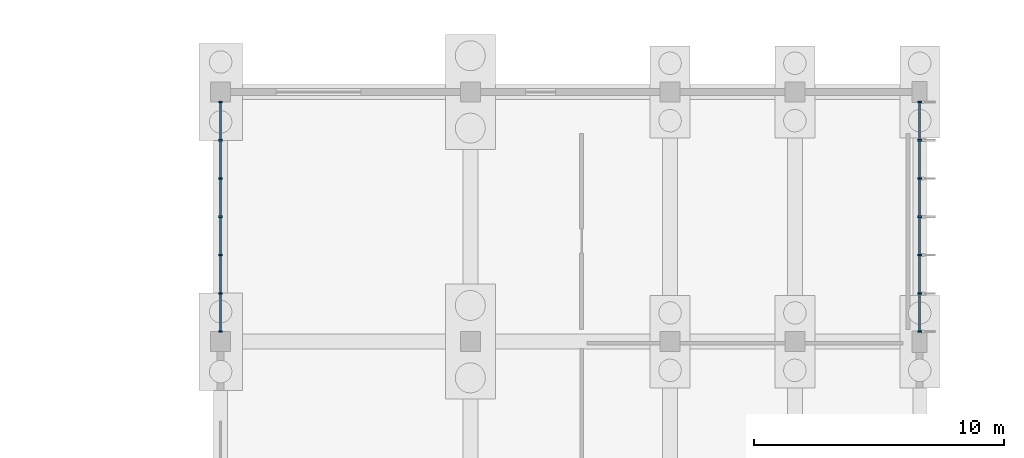
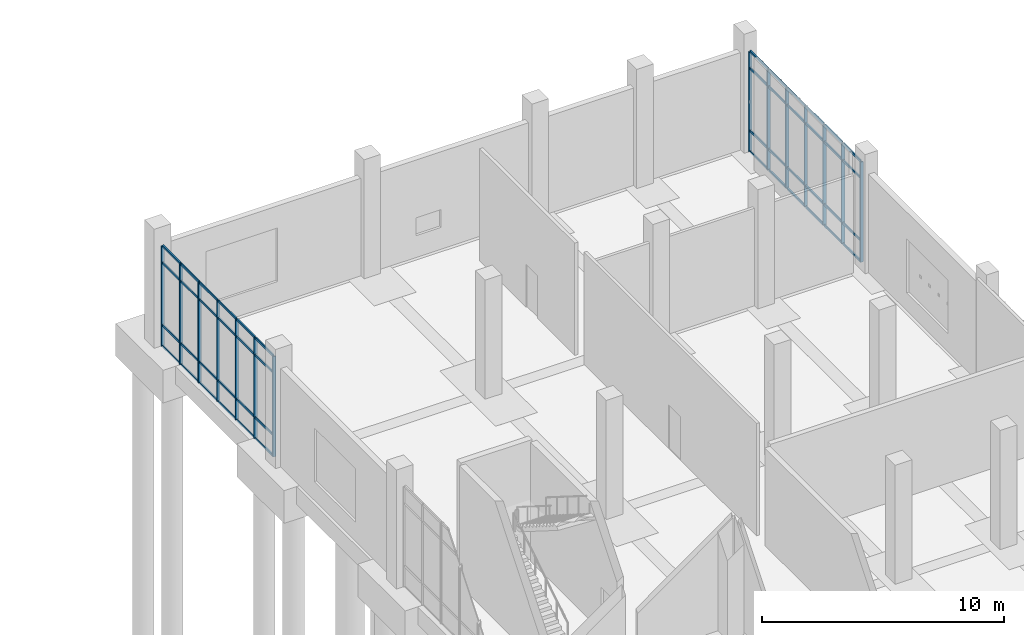
# One storey, part 53 of 140: 62 members, 2 elements without a shape of their own.
"""IFC4 building model written with IfcOpenShell, lengths in metres."""

from ifc_helpers import new_model, si_unit, direction, frame, origin, origin_2d, place, context, subcontext, project, spatial, rectangle, extrude, material, layer, layer_set, material_profile, profile_set, type_object, element, aggregate, save


model = new_model("IFC4")

# Units and contexts
model_context = context("Model", 3, precision=1e-05, world=origin(), true_north=direction((0.0, 1.0)))
body_context = subcontext(model_context, "Body", "Model", "MODEL_VIEW")
ifc_project = project(units=[si_unit("LENGTHUNIT", "METRE"), si_unit("AREAUNIT", "SQUARE_METRE"), si_unit("VOLUMEUNIT", "CUBIC_METRE"), si_unit("PLANEANGLEUNIT", "RADIAN"), si_unit("MASSUNIT", "GRAM", prefix="KILO")], contexts=[model_context])

# Site, building, storey
site_placement = place(None, origin())
site = spatial("IfcSite", under=ifc_project, at=site_placement, CompositionType="ELEMENT")
building_placement = place(site_placement, origin())
building = spatial("IfcBuilding", under=site, at=building_placement, Name="Corvandel Quay Wholesale Market", CompositionType="ELEMENT")
storey_placement = place(building_placement, origin())
storey = spatial("IfcBuildingStorey", under=building, at=storey_placement, Name="L00", CompositionType="ELEMENT", Elevation=0.0)

# Curtain wall, members
ifc_material_1 = material(Name="Bronze anodised aluminium and low-E insulated glazing", Category="aluminium")
ifc_layer_1 = layer(ifc_material_1, 0.174072265625)
ifc_layer_set_1 = layer_set([ifc_layer_1], Name="Bronze anodised aluminium and low-E insulated glazing")
curtain_wall_type_1 = type_object("IfcCurtainWallType", Name="Stick Curtain Wall System CW22 H4980", PredefinedType="NOTDEFINED", material=ifc_layer_set_1)
curtain_wall_1_placement = place(storey_placement, origin())
curtain_wall_1 = element("IfcCurtainWall", 1, at=curtain_wall_1_placement, inside=storey, type_object=curtain_wall_type_1, Name="Curtain Wall CW-0147", PredefinedType="NOTDEFINED")
ifc_material_2 = material(Name="Anodised aluminium 6063-T6", Category="aluminium")
ifc_material_profile_1 = material_profile(ifc_material_2, rectangle(XDim=0.06494140625, YDim=0.14990234375, at=origin_2d()), Name="ALU-MUL-65x150")
ifc_profile_set_1 = profile_set([ifc_material_profile_1], Name="Anodised aluminium 6063-T6")
member_type_1 = type_object("IfcMemberType", Name="Curtain Wall Mullion ML02 65x150", PredefinedType="MULLION", material=ifc_profile_set_1)
member_1_placement = place(storey_placement, frame((248.0, 100.39990234375, 0.0), z_axis=(0.0, 0.0, 1.0), x_axis=(0.0, 1.0, 0.0)))
member_1 = element("IfcMember", 2, at=member_1_placement, type_object=member_type_1, Name="Mullion CW-0147-M00", PredefinedType="MULLION", context=body_context, shape_type="SweptSolid", body=[
    extrude(rectangle(XDim=0.06494140625, YDim=0.14990234375, at=origin_2d()), origin(), (0.0, 0.0, 1.0), 5.050048828125),
])
member_2_placement = place(storey_placement, frame((248.0, 101.933349609375, 0.0), z_axis=(0.0, 0.0, 1.0), x_axis=(0.0, 1.0, 0.0)))
member_2 = element("IfcMember", 3, at=member_2_placement, type_object=member_type_1, Name="Mullion CW-0147-M01", PredefinedType="MULLION", context=body_context, shape_type="SweptSolid", body=[
    extrude(rectangle(XDim=0.06494140625, YDim=0.14990234375, at=origin_2d()), origin(), (0.0, 0.0, 1.0), 5.050048828125),
])
member_3_placement = place(storey_placement, frame((248.0, 103.466796875, 0.0), z_axis=(0.0, 0.0, 1.0), x_axis=(0.0, 1.0, 0.0)))
member_3 = element("IfcMember", 4, at=member_3_placement, type_object=member_type_1, Name="Mullion CW-0147-M02", PredefinedType="MULLION", context=body_context, shape_type="SweptSolid", body=[
    extrude(rectangle(XDim=0.06494140625, YDim=0.14990234375, at=origin_2d()), origin(), (0.0, 0.0, 1.0), 5.050048828125),
])
member_4_placement = place(storey_placement, frame((248.0, 105.0, 0.0), z_axis=(0.0, 0.0, 1.0), x_axis=(0.0, 1.0, 0.0)))
member_4 = element("IfcMember", 5, at=member_4_placement, type_object=member_type_1, Name="Mullion CW-0147-M03", PredefinedType="MULLION", context=body_context, shape_type="SweptSolid", body=[
    extrude(rectangle(XDim=0.06494140625, YDim=0.14990234375, at=origin_2d()), origin(), (0.0, 0.0, 1.0), 5.050048828125),
])
member_5_placement = place(storey_placement, frame((248.0, 106.533203125, 0.0), z_axis=(0.0, 0.0, 1.0), x_axis=(0.0, 1.0, 0.0)))
member_5 = element("IfcMember", 6, at=member_5_placement, type_object=member_type_1, Name="Mullion CW-0147-M04", PredefinedType="MULLION", context=body_context, shape_type="SweptSolid", body=[
    extrude(rectangle(XDim=0.06494140625, YDim=0.14990234375, at=origin_2d()), origin(), (0.0, 0.0, 1.0), 5.050048828125),
])
member_6_placement = place(storey_placement, frame((248.0, 108.066650390625, 0.0), z_axis=(0.0, 0.0, 1.0), x_axis=(0.0, 1.0, 0.0)))
member_6 = element("IfcMember", 7, at=member_6_placement, type_object=member_type_1, Name="Mullion CW-0147-M05", PredefinedType="MULLION", context=body_context, shape_type="SweptSolid", body=[
    extrude(rectangle(XDim=0.06494140625, YDim=0.14990234375, at=origin_2d()), origin(), (0.0, 0.0, 1.0), 5.050048828125),
])
member_7_placement = place(storey_placement, frame((248.0, 109.60009765625, 0.0), z_axis=(0.0, 0.0, 1.0), x_axis=(0.0, 1.0, 0.0)))
member_7 = element("IfcMember", 8, at=member_7_placement, type_object=member_type_1, Name="Mullion CW-0147-M06", PredefinedType="MULLION", context=body_context, shape_type="SweptSolid", body=[
    extrude(rectangle(XDim=0.06494140625, YDim=0.14990234375, at=origin_2d()), origin(), (0.0, 0.0, 1.0), 5.050048828125),
])

ifc_layer_2 = layer(ifc_material_1, 0.18603515625)
ifc_layer_set_2 = layer_set([ifc_layer_2], Name="Bronze anodised aluminium and low-E insulated glazing")
curtain_wall_type_2 = type_object("IfcCurtainWallType", Name="Stick Curtain Wall System CW28 H5520", PredefinedType="NOTDEFINED", material=ifc_layer_set_2)
curtain_wall_2_placement = place(storey_placement, origin())
curtain_wall_2 = element("IfcCurtainWall", 9, at=curtain_wall_2_placement, inside=storey, type_object=curtain_wall_type_2, Name="Curtain Wall CW-0148", PredefinedType="NOTDEFINED")
member_8_placement = place(storey_placement, frame((220.0, 100.39990234375, 0.0), z_axis=(0.0, 0.0, 1.0), x_axis=(0.0, 1.0, 0.0)))
member_8 = element("IfcMember", 10, at=member_8_placement, type_object=member_type_1, Name="Mullion CW-0148-M00", PredefinedType="MULLION", context=body_context, shape_type="SweptSolid", body=[
    extrude(rectangle(XDim=0.06494140625, YDim=0.14990234375, at=origin_2d()), origin(), (0.0, 0.0, 1.0), 5.050048828125),
])
member_9_placement = place(storey_placement, frame((220.0, 101.933349609375, 0.0), z_axis=(0.0, 0.0, 1.0), x_axis=(0.0, 1.0, 0.0)))
member_9 = element("IfcMember", 11, at=member_9_placement, type_object=member_type_1, Name="Mullion CW-0148-M01", PredefinedType="MULLION", context=body_context, shape_type="SweptSolid", body=[
    extrude(rectangle(XDim=0.06494140625, YDim=0.14990234375, at=origin_2d()), origin(), (0.0, 0.0, 1.0), 5.050048828125),
])
member_10_placement = place(storey_placement, frame((220.0, 103.466796875, 0.0), z_axis=(0.0, 0.0, 1.0), x_axis=(0.0, 1.0, 0.0)))
member_10 = element("IfcMember", 12, at=member_10_placement, type_object=member_type_1, Name="Mullion CW-0148-M02", PredefinedType="MULLION", context=body_context, shape_type="SweptSolid", body=[
    extrude(rectangle(XDim=0.06494140625, YDim=0.14990234375, at=origin_2d()), origin(), (0.0, 0.0, 1.0), 5.050048828125),
])
member_11_placement = place(storey_placement, frame((220.0, 105.0, 0.0), z_axis=(0.0, 0.0, 1.0), x_axis=(0.0, 1.0, 0.0)))
member_11 = element("IfcMember", 13, at=member_11_placement, type_object=member_type_1, Name="Mullion CW-0148-M03", PredefinedType="MULLION", context=body_context, shape_type="SweptSolid", body=[
    extrude(rectangle(XDim=0.06494140625, YDim=0.14990234375, at=origin_2d()), origin(), (0.0, 0.0, 1.0), 5.050048828125),
])
member_12_placement = place(storey_placement, frame((220.0, 106.533203125, 0.0), z_axis=(0.0, 0.0, 1.0), x_axis=(0.0, 1.0, 0.0)))
member_12 = element("IfcMember", 14, at=member_12_placement, type_object=member_type_1, Name="Mullion CW-0148-M04", PredefinedType="MULLION", context=body_context, shape_type="SweptSolid", body=[
    extrude(rectangle(XDim=0.06494140625, YDim=0.14990234375, at=origin_2d()), origin(), (0.0, 0.0, 1.0), 5.050048828125),
])
member_13_placement = place(storey_placement, frame((220.0, 108.066650390625, 0.0), z_axis=(0.0, 0.0, 1.0), x_axis=(0.0, 1.0, 0.0)))
member_13 = element("IfcMember", 15, at=member_13_placement, type_object=member_type_1, Name="Mullion CW-0148-M05", PredefinedType="MULLION", context=body_context, shape_type="SweptSolid", body=[
    extrude(rectangle(XDim=0.06494140625, YDim=0.14990234375, at=origin_2d()), origin(), (0.0, 0.0, 1.0), 5.050048828125),
])
member_14_placement = place(storey_placement, frame((220.0, 109.60009765625, 0.0), z_axis=(0.0, 0.0, 1.0), x_axis=(0.0, 1.0, 0.0)))
member_14 = element("IfcMember", 16, at=member_14_placement, type_object=member_type_1, Name="Mullion CW-0148-M06", PredefinedType="MULLION", context=body_context, shape_type="SweptSolid", body=[
    extrude(rectangle(XDim=0.06494140625, YDim=0.14990234375, at=origin_2d()), origin(), (0.0, 0.0, 1.0), 5.050048828125),
])

# Member
ifc_material_profile_2 = material_profile(ifc_material_2, rectangle(XDim=0.06005859375, YDim=0.110107421875, at=origin_2d()), Name="ALU-TRN-60x110")
ifc_profile_set_2 = profile_set([ifc_material_profile_2], Name="Anodised aluminium 6063-T6")
member_type_2 = type_object("IfcMemberType", Name="Curtain Wall Transom TR02 60x110", PredefinedType="USERDEFINED", material=ifc_profile_set_2)
member_15_placement = place(storey_placement, frame((248.0, 100.4326171875, 0.0), z_axis=(0.0, 1.0, 0.0), x_axis=(-1.0, 0.0, 0.0)))
member_15 = element("IfcMember", 17, at=member_15_placement, type_object=member_type_2, Name="Transom CW-0147-T00-0", ObjectType="TRANSOM", PredefinedType="USERDEFINED", context=body_context, shape_type="SweptSolid", body=[
    extrude(rectangle(XDim=0.06005859375, YDim=0.110107421875, at=origin_2d()), origin(), (0.0, 0.0, 1.0), 1.46826171875),
])

member_16_placement = place(storey_placement, frame((248.0, 100.4326171875, 1.050048828125), z_axis=(0.0, 1.0, 0.0), x_axis=(-1.0, 0.0, 0.0)))
member_16 = element("IfcMember", 18, at=member_16_placement, type_object=member_type_2, Name="Transom CW-0147-T00-1", ObjectType="TRANSOM", PredefinedType="USERDEFINED", context=body_context, shape_type="SweptSolid", body=[
    extrude(rectangle(XDim=0.06005859375, YDim=0.110107421875, at=origin_2d()), origin(), (0.0, 0.0, 1.0), 1.46826171875),
])

member_17_placement = place(storey_placement, frame((248.0, 100.4326171875, 4.199951171875), z_axis=(0.0, 1.0, 0.0), x_axis=(-1.0, 0.0, 0.0)))
member_17 = element("IfcMember", 19, at=member_17_placement, type_object=member_type_2, Name="Transom CW-0147-T00-2", ObjectType="TRANSOM", PredefinedType="USERDEFINED", context=body_context, shape_type="SweptSolid", body=[
    extrude(rectangle(XDim=0.06005859375, YDim=0.110107421875, at=origin_2d()), origin(), (0.0, 0.0, 1.0), 1.46826171875),
])

member_18_placement = place(storey_placement, frame((248.0, 100.4326171875, 5.050048828125), z_axis=(0.0, 1.0, 0.0), x_axis=(-1.0, 0.0, 0.0)))
member_18 = element("IfcMember", 20, at=member_18_placement, type_object=member_type_2, Name="Transom CW-0147-T00-3", ObjectType="TRANSOM", PredefinedType="USERDEFINED", context=body_context, shape_type="SweptSolid", body=[
    extrude(rectangle(XDim=0.06005859375, YDim=0.110107421875, at=origin_2d()), origin(), (0.0, 0.0, 1.0), 1.46826171875),
])

member_19_placement = place(storey_placement, frame((248.0, 101.9658203125, 0.0), z_axis=(0.0, 1.0, 0.0), x_axis=(-1.0, 0.0, 0.0)))
member_19 = element("IfcMember", 21, at=member_19_placement, type_object=member_type_2, Name="Transom CW-0147-T01-0", ObjectType="TRANSOM", PredefinedType="USERDEFINED", context=body_context, shape_type="SweptSolid", body=[
    extrude(rectangle(XDim=0.06005859375, YDim=0.110107421875, at=origin_2d()), origin(), (0.0, 0.0, 1.0), 1.46826171875),
])

member_20_placement = place(storey_placement, frame((248.0, 101.9658203125, 1.050048828125), z_axis=(0.0, 1.0, 0.0), x_axis=(-1.0, 0.0, 0.0)))
member_20 = element("IfcMember", 22, at=member_20_placement, type_object=member_type_2, Name="Transom CW-0147-T01-1", ObjectType="TRANSOM", PredefinedType="USERDEFINED", context=body_context, shape_type="SweptSolid", body=[
    extrude(rectangle(XDim=0.06005859375, YDim=0.110107421875, at=origin_2d()), origin(), (0.0, 0.0, 1.0), 1.46826171875),
])

member_21_placement = place(storey_placement, frame((248.0, 101.9658203125, 4.199951171875), z_axis=(0.0, 1.0, 0.0), x_axis=(-1.0, 0.0, 0.0)))
member_21 = element("IfcMember", 23, at=member_21_placement, type_object=member_type_2, Name="Transom CW-0147-T01-2", ObjectType="TRANSOM", PredefinedType="USERDEFINED", context=body_context, shape_type="SweptSolid", body=[
    extrude(rectangle(XDim=0.06005859375, YDim=0.110107421875, at=origin_2d()), origin(), (0.0, 0.0, 1.0), 1.46826171875),
])

member_22_placement = place(storey_placement, frame((248.0, 101.9658203125, 5.050048828125), z_axis=(0.0, 1.0, 0.0), x_axis=(-1.0, 0.0, 0.0)))
member_22 = element("IfcMember", 24, at=member_22_placement, type_object=member_type_2, Name="Transom CW-0147-T01-3", ObjectType="TRANSOM", PredefinedType="USERDEFINED", context=body_context, shape_type="SweptSolid", body=[
    extrude(rectangle(XDim=0.06005859375, YDim=0.110107421875, at=origin_2d()), origin(), (0.0, 0.0, 1.0), 1.46826171875),
])

member_23_placement = place(storey_placement, frame((248.0, 103.499267578125, 0.0), z_axis=(0.0, 1.0, 0.0), x_axis=(-1.0, 0.0, 0.0)))
member_23 = element("IfcMember", 25, at=member_23_placement, type_object=member_type_2, Name="Transom CW-0147-T02-0", ObjectType="TRANSOM", PredefinedType="USERDEFINED", context=body_context, shape_type="SweptSolid", body=[
    extrude(rectangle(XDim=0.06005859375, YDim=0.110107421875, at=origin_2d()), origin(), (0.0, 0.0, 1.0), 1.46826171875),
])

member_24_placement = place(storey_placement, frame((248.0, 103.499267578125, 1.050048828125), z_axis=(0.0, 1.0, 0.0), x_axis=(-1.0, 0.0, 0.0)))
member_24 = element("IfcMember", 26, at=member_24_placement, type_object=member_type_2, Name="Transom CW-0147-T02-1", ObjectType="TRANSOM", PredefinedType="USERDEFINED", context=body_context, shape_type="SweptSolid", body=[
    extrude(rectangle(XDim=0.06005859375, YDim=0.110107421875, at=origin_2d()), origin(), (0.0, 0.0, 1.0), 1.46826171875),
])

member_25_placement = place(storey_placement, frame((248.0, 103.499267578125, 4.199951171875), z_axis=(0.0, 1.0, 0.0), x_axis=(-1.0, 0.0, 0.0)))
member_25 = element("IfcMember", 27, at=member_25_placement, type_object=member_type_2, Name="Transom CW-0147-T02-2", ObjectType="TRANSOM", PredefinedType="USERDEFINED", context=body_context, shape_type="SweptSolid", body=[
    extrude(rectangle(XDim=0.06005859375, YDim=0.110107421875, at=origin_2d()), origin(), (0.0, 0.0, 1.0), 1.46826171875),
])

member_26_placement = place(storey_placement, frame((248.0, 103.499267578125, 5.050048828125), z_axis=(0.0, 1.0, 0.0), x_axis=(-1.0, 0.0, 0.0)))
member_26 = element("IfcMember", 28, at=member_26_placement, type_object=member_type_2, Name="Transom CW-0147-T02-3", ObjectType="TRANSOM", PredefinedType="USERDEFINED", context=body_context, shape_type="SweptSolid", body=[
    extrude(rectangle(XDim=0.06005859375, YDim=0.110107421875, at=origin_2d()), origin(), (0.0, 0.0, 1.0), 1.46826171875),
])

member_27_placement = place(storey_placement, frame((248.0, 105.032470703125, 0.0), z_axis=(0.0, 1.0, 0.0), x_axis=(-1.0, 0.0, 0.0)))
member_27 = element("IfcMember", 29, at=member_27_placement, type_object=member_type_2, Name="Transom CW-0147-T03-0", ObjectType="TRANSOM", PredefinedType="USERDEFINED", context=body_context, shape_type="SweptSolid", body=[
    extrude(rectangle(XDim=0.06005859375, YDim=0.110107421875, at=origin_2d()), origin(), (0.0, 0.0, 1.0), 1.46826171875),
])

member_28_placement = place(storey_placement, frame((248.0, 105.032470703125, 1.050048828125), z_axis=(0.0, 1.0, 0.0), x_axis=(-1.0, 0.0, 0.0)))
member_28 = element("IfcMember", 30, at=member_28_placement, type_object=member_type_2, Name="Transom CW-0147-T03-1", ObjectType="TRANSOM", PredefinedType="USERDEFINED", context=body_context, shape_type="SweptSolid", body=[
    extrude(rectangle(XDim=0.06005859375, YDim=0.110107421875, at=origin_2d()), origin(), (0.0, 0.0, 1.0), 1.46826171875),
])

member_29_placement = place(storey_placement, frame((248.0, 105.032470703125, 4.199951171875), z_axis=(0.0, 1.0, 0.0), x_axis=(-1.0, 0.0, 0.0)))
member_29 = element("IfcMember", 31, at=member_29_placement, type_object=member_type_2, Name="Transom CW-0147-T03-2", ObjectType="TRANSOM", PredefinedType="USERDEFINED", context=body_context, shape_type="SweptSolid", body=[
    extrude(rectangle(XDim=0.06005859375, YDim=0.110107421875, at=origin_2d()), origin(), (0.0, 0.0, 1.0), 1.46826171875),
])

member_30_placement = place(storey_placement, frame((248.0, 105.032470703125, 5.050048828125), z_axis=(0.0, 1.0, 0.0), x_axis=(-1.0, 0.0, 0.0)))
member_30 = element("IfcMember", 32, at=member_30_placement, type_object=member_type_2, Name="Transom CW-0147-T03-3", ObjectType="TRANSOM", PredefinedType="USERDEFINED", context=body_context, shape_type="SweptSolid", body=[
    extrude(rectangle(XDim=0.06005859375, YDim=0.110107421875, at=origin_2d()), origin(), (0.0, 0.0, 1.0), 1.46826171875),
])

member_31_placement = place(storey_placement, frame((248.0, 106.56591796875, 0.0), z_axis=(0.0, 1.0, 0.0), x_axis=(-1.0, 0.0, 0.0)))
member_31 = element("IfcMember", 33, at=member_31_placement, type_object=member_type_2, Name="Transom CW-0147-T04-0", ObjectType="TRANSOM", PredefinedType="USERDEFINED", context=body_context, shape_type="SweptSolid", body=[
    extrude(rectangle(XDim=0.06005859375, YDim=0.110107421875, at=origin_2d()), origin(), (0.0, 0.0, 1.0), 1.46826171875),
])

member_32_placement = place(storey_placement, frame((248.0, 106.56591796875, 1.050048828125), z_axis=(0.0, 1.0, 0.0), x_axis=(-1.0, 0.0, 0.0)))
member_32 = element("IfcMember", 34, at=member_32_placement, type_object=member_type_2, Name="Transom CW-0147-T04-1", ObjectType="TRANSOM", PredefinedType="USERDEFINED", context=body_context, shape_type="SweptSolid", body=[
    extrude(rectangle(XDim=0.06005859375, YDim=0.110107421875, at=origin_2d()), origin(), (0.0, 0.0, 1.0), 1.46826171875),
])

member_33_placement = place(storey_placement, frame((248.0, 106.56591796875, 4.199951171875), z_axis=(0.0, 1.0, 0.0), x_axis=(-1.0, 0.0, 0.0)))
member_33 = element("IfcMember", 35, at=member_33_placement, type_object=member_type_2, Name="Transom CW-0147-T04-2", ObjectType="TRANSOM", PredefinedType="USERDEFINED", context=body_context, shape_type="SweptSolid", body=[
    extrude(rectangle(XDim=0.06005859375, YDim=0.110107421875, at=origin_2d()), origin(), (0.0, 0.0, 1.0), 1.46826171875),
])

member_34_placement = place(storey_placement, frame((248.0, 106.56591796875, 5.050048828125), z_axis=(0.0, 1.0, 0.0), x_axis=(-1.0, 0.0, 0.0)))
member_34 = element("IfcMember", 36, at=member_34_placement, type_object=member_type_2, Name="Transom CW-0147-T04-3", ObjectType="TRANSOM", PredefinedType="USERDEFINED", context=body_context, shape_type="SweptSolid", body=[
    extrude(rectangle(XDim=0.06005859375, YDim=0.110107421875, at=origin_2d()), origin(), (0.0, 0.0, 1.0), 1.46826171875),
])

member_35_placement = place(storey_placement, frame((248.0, 108.09912109375, 0.0), z_axis=(0.0, 1.0, 0.0), x_axis=(-1.0, 0.0, 0.0)))
member_35 = element("IfcMember", 37, at=member_35_placement, type_object=member_type_2, Name="Transom CW-0147-T05-0", ObjectType="TRANSOM", PredefinedType="USERDEFINED", context=body_context, shape_type="SweptSolid", body=[
    extrude(rectangle(XDim=0.06005859375, YDim=0.110107421875, at=origin_2d()), origin(), (0.0, 0.0, 1.0), 1.46826171875),
])

member_36_placement = place(storey_placement, frame((248.0, 108.09912109375, 1.050048828125), z_axis=(0.0, 1.0, 0.0), x_axis=(-1.0, 0.0, 0.0)))
member_36 = element("IfcMember", 38, at=member_36_placement, type_object=member_type_2, Name="Transom CW-0147-T05-1", ObjectType="TRANSOM", PredefinedType="USERDEFINED", context=body_context, shape_type="SweptSolid", body=[
    extrude(rectangle(XDim=0.06005859375, YDim=0.110107421875, at=origin_2d()), origin(), (0.0, 0.0, 1.0), 1.46826171875),
])

member_37_placement = place(storey_placement, frame((248.0, 108.09912109375, 4.199951171875), z_axis=(0.0, 1.0, 0.0), x_axis=(-1.0, 0.0, 0.0)))
member_37 = element("IfcMember", 39, at=member_37_placement, type_object=member_type_2, Name="Transom CW-0147-T05-2", ObjectType="TRANSOM", PredefinedType="USERDEFINED", context=body_context, shape_type="SweptSolid", body=[
    extrude(rectangle(XDim=0.06005859375, YDim=0.110107421875, at=origin_2d()), origin(), (0.0, 0.0, 1.0), 1.46826171875),
])

member_38_placement = place(storey_placement, frame((248.0, 108.09912109375, 5.050048828125), z_axis=(0.0, 1.0, 0.0), x_axis=(-1.0, 0.0, 0.0)))
member_38 = element("IfcMember", 40, at=member_38_placement, type_object=member_type_2, Name="Transom CW-0147-T05-3", ObjectType="TRANSOM", PredefinedType="USERDEFINED", context=body_context, shape_type="SweptSolid", body=[
    extrude(rectangle(XDim=0.06005859375, YDim=0.110107421875, at=origin_2d()), origin(), (0.0, 0.0, 1.0), 1.46826171875),
])

aggregate(curtain_wall_1, [member_1, member_2, member_3, member_4, member_5, member_6, member_7, member_15, member_16, member_17, member_18, member_19, member_20, member_21, member_22, member_23, member_24, member_25, member_26, member_27, member_28, member_29, member_30, member_31, member_32, member_33, member_34, member_35, member_36, member_37, member_38])

member_39_placement = place(storey_placement, frame((220.0, 100.4326171875, 0.0), z_axis=(0.0, 1.0, 0.0), x_axis=(-1.0, 0.0, 0.0)))
member_39 = element("IfcMember", 41, at=member_39_placement, type_object=member_type_2, Name="Transom CW-0148-T00-0", ObjectType="TRANSOM", PredefinedType="USERDEFINED", context=body_context, shape_type="SweptSolid", body=[
    extrude(rectangle(XDim=0.06005859375, YDim=0.110107421875, at=origin_2d()), origin(), (0.0, 0.0, 1.0), 1.46826171875),
])

member_40_placement = place(storey_placement, frame((220.0, 100.4326171875, 1.050048828125), z_axis=(0.0, 1.0, 0.0), x_axis=(-1.0, 0.0, 0.0)))
member_40 = element("IfcMember", 42, at=member_40_placement, type_object=member_type_2, Name="Transom CW-0148-T00-1", ObjectType="TRANSOM", PredefinedType="USERDEFINED", context=body_context, shape_type="SweptSolid", body=[
    extrude(rectangle(XDim=0.06005859375, YDim=0.110107421875, at=origin_2d()), origin(), (0.0, 0.0, 1.0), 1.46826171875),
])

member_41_placement = place(storey_placement, frame((220.0, 100.4326171875, 4.199951171875), z_axis=(0.0, 1.0, 0.0), x_axis=(-1.0, 0.0, 0.0)))
member_41 = element("IfcMember", 43, at=member_41_placement, type_object=member_type_2, Name="Transom CW-0148-T00-2", ObjectType="TRANSOM", PredefinedType="USERDEFINED", context=body_context, shape_type="SweptSolid", body=[
    extrude(rectangle(XDim=0.06005859375, YDim=0.110107421875, at=origin_2d()), origin(), (0.0, 0.0, 1.0), 1.46826171875),
])

member_42_placement = place(storey_placement, frame((220.0, 100.4326171875, 5.050048828125), z_axis=(0.0, 1.0, 0.0), x_axis=(-1.0, 0.0, 0.0)))
member_42 = element("IfcMember", 44, at=member_42_placement, type_object=member_type_2, Name="Transom CW-0148-T00-3", ObjectType="TRANSOM", PredefinedType="USERDEFINED", context=body_context, shape_type="SweptSolid", body=[
    extrude(rectangle(XDim=0.06005859375, YDim=0.110107421875, at=origin_2d()), origin(), (0.0, 0.0, 1.0), 1.46826171875),
])

member_43_placement = place(storey_placement, frame((220.0, 101.9658203125, 0.0), z_axis=(0.0, 1.0, 0.0), x_axis=(-1.0, 0.0, 0.0)))
member_43 = element("IfcMember", 45, at=member_43_placement, type_object=member_type_2, Name="Transom CW-0148-T01-0", ObjectType="TRANSOM", PredefinedType="USERDEFINED", context=body_context, shape_type="SweptSolid", body=[
    extrude(rectangle(XDim=0.06005859375, YDim=0.110107421875, at=origin_2d()), origin(), (0.0, 0.0, 1.0), 1.46826171875),
])

member_44_placement = place(storey_placement, frame((220.0, 101.9658203125, 1.050048828125), z_axis=(0.0, 1.0, 0.0), x_axis=(-1.0, 0.0, 0.0)))
member_44 = element("IfcMember", 46, at=member_44_placement, type_object=member_type_2, Name="Transom CW-0148-T01-1", ObjectType="TRANSOM", PredefinedType="USERDEFINED", context=body_context, shape_type="SweptSolid", body=[
    extrude(rectangle(XDim=0.06005859375, YDim=0.110107421875, at=origin_2d()), origin(), (0.0, 0.0, 1.0), 1.46826171875),
])

member_45_placement = place(storey_placement, frame((220.0, 101.9658203125, 4.199951171875), z_axis=(0.0, 1.0, 0.0), x_axis=(-1.0, 0.0, 0.0)))
member_45 = element("IfcMember", 47, at=member_45_placement, type_object=member_type_2, Name="Transom CW-0148-T01-2", ObjectType="TRANSOM", PredefinedType="USERDEFINED", context=body_context, shape_type="SweptSolid", body=[
    extrude(rectangle(XDim=0.06005859375, YDim=0.110107421875, at=origin_2d()), origin(), (0.0, 0.0, 1.0), 1.46826171875),
])

member_46_placement = place(storey_placement, frame((220.0, 101.9658203125, 5.050048828125), z_axis=(0.0, 1.0, 0.0), x_axis=(-1.0, 0.0, 0.0)))
member_46 = element("IfcMember", 48, at=member_46_placement, type_object=member_type_2, Name="Transom CW-0148-T01-3", ObjectType="TRANSOM", PredefinedType="USERDEFINED", context=body_context, shape_type="SweptSolid", body=[
    extrude(rectangle(XDim=0.06005859375, YDim=0.110107421875, at=origin_2d()), origin(), (0.0, 0.0, 1.0), 1.46826171875),
])

member_47_placement = place(storey_placement, frame((220.0, 103.499267578125, 0.0), z_axis=(0.0, 1.0, 0.0), x_axis=(-1.0, 0.0, 0.0)))
member_47 = element("IfcMember", 49, at=member_47_placement, type_object=member_type_2, Name="Transom CW-0148-T02-0", ObjectType="TRANSOM", PredefinedType="USERDEFINED", context=body_context, shape_type="SweptSolid", body=[
    extrude(rectangle(XDim=0.06005859375, YDim=0.110107421875, at=origin_2d()), origin(), (0.0, 0.0, 1.0), 1.46826171875),
])

member_48_placement = place(storey_placement, frame((220.0, 103.499267578125, 1.050048828125), z_axis=(0.0, 1.0, 0.0), x_axis=(-1.0, 0.0, 0.0)))
member_48 = element("IfcMember", 50, at=member_48_placement, type_object=member_type_2, Name="Transom CW-0148-T02-1", ObjectType="TRANSOM", PredefinedType="USERDEFINED", context=body_context, shape_type="SweptSolid", body=[
    extrude(rectangle(XDim=0.06005859375, YDim=0.110107421875, at=origin_2d()), origin(), (0.0, 0.0, 1.0), 1.46826171875),
])

member_49_placement = place(storey_placement, frame((220.0, 103.499267578125, 4.199951171875), z_axis=(0.0, 1.0, 0.0), x_axis=(-1.0, 0.0, 0.0)))
member_49 = element("IfcMember", 51, at=member_49_placement, type_object=member_type_2, Name="Transom CW-0148-T02-2", ObjectType="TRANSOM", PredefinedType="USERDEFINED", context=body_context, shape_type="SweptSolid", body=[
    extrude(rectangle(XDim=0.06005859375, YDim=0.110107421875, at=origin_2d()), origin(), (0.0, 0.0, 1.0), 1.46826171875),
])

member_50_placement = place(storey_placement, frame((220.0, 103.499267578125, 5.050048828125), z_axis=(0.0, 1.0, 0.0), x_axis=(-1.0, 0.0, 0.0)))
member_50 = element("IfcMember", 52, at=member_50_placement, type_object=member_type_2, Name="Transom CW-0148-T02-3", ObjectType="TRANSOM", PredefinedType="USERDEFINED", context=body_context, shape_type="SweptSolid", body=[
    extrude(rectangle(XDim=0.06005859375, YDim=0.110107421875, at=origin_2d()), origin(), (0.0, 0.0, 1.0), 1.46826171875),
])

member_51_placement = place(storey_placement, frame((220.0, 105.032470703125, 0.0), z_axis=(0.0, 1.0, 0.0), x_axis=(-1.0, 0.0, 0.0)))
member_51 = element("IfcMember", 53, at=member_51_placement, type_object=member_type_2, Name="Transom CW-0148-T03-0", ObjectType="TRANSOM", PredefinedType="USERDEFINED", context=body_context, shape_type="SweptSolid", body=[
    extrude(rectangle(XDim=0.06005859375, YDim=0.110107421875, at=origin_2d()), origin(), (0.0, 0.0, 1.0), 1.46826171875),
])

member_52_placement = place(storey_placement, frame((220.0, 105.032470703125, 1.050048828125), z_axis=(0.0, 1.0, 0.0), x_axis=(-1.0, 0.0, 0.0)))
member_52 = element("IfcMember", 54, at=member_52_placement, type_object=member_type_2, Name="Transom CW-0148-T03-1", ObjectType="TRANSOM", PredefinedType="USERDEFINED", context=body_context, shape_type="SweptSolid", body=[
    extrude(rectangle(XDim=0.06005859375, YDim=0.110107421875, at=origin_2d()), origin(), (0.0, 0.0, 1.0), 1.46826171875),
])

member_53_placement = place(storey_placement, frame((220.0, 105.032470703125, 4.199951171875), z_axis=(0.0, 1.0, 0.0), x_axis=(-1.0, 0.0, 0.0)))
member_53 = element("IfcMember", 55, at=member_53_placement, type_object=member_type_2, Name="Transom CW-0148-T03-2", ObjectType="TRANSOM", PredefinedType="USERDEFINED", context=body_context, shape_type="SweptSolid", body=[
    extrude(rectangle(XDim=0.06005859375, YDim=0.110107421875, at=origin_2d()), origin(), (0.0, 0.0, 1.0), 1.46826171875),
])

member_54_placement = place(storey_placement, frame((220.0, 105.032470703125, 5.050048828125), z_axis=(0.0, 1.0, 0.0), x_axis=(-1.0, 0.0, 0.0)))
member_54 = element("IfcMember", 56, at=member_54_placement, type_object=member_type_2, Name="Transom CW-0148-T03-3", ObjectType="TRANSOM", PredefinedType="USERDEFINED", context=body_context, shape_type="SweptSolid", body=[
    extrude(rectangle(XDim=0.06005859375, YDim=0.110107421875, at=origin_2d()), origin(), (0.0, 0.0, 1.0), 1.46826171875),
])

member_55_placement = place(storey_placement, frame((220.0, 106.56591796875, 0.0), z_axis=(0.0, 1.0, 0.0), x_axis=(-1.0, 0.0, 0.0)))
member_55 = element("IfcMember", 57, at=member_55_placement, type_object=member_type_2, Name="Transom CW-0148-T04-0", ObjectType="TRANSOM", PredefinedType="USERDEFINED", context=body_context, shape_type="SweptSolid", body=[
    extrude(rectangle(XDim=0.06005859375, YDim=0.110107421875, at=origin_2d()), origin(), (0.0, 0.0, 1.0), 1.46826171875),
])

member_56_placement = place(storey_placement, frame((220.0, 106.56591796875, 1.050048828125), z_axis=(0.0, 1.0, 0.0), x_axis=(-1.0, 0.0, 0.0)))
member_56 = element("IfcMember", 58, at=member_56_placement, type_object=member_type_2, Name="Transom CW-0148-T04-1", ObjectType="TRANSOM", PredefinedType="USERDEFINED", context=body_context, shape_type="SweptSolid", body=[
    extrude(rectangle(XDim=0.06005859375, YDim=0.110107421875, at=origin_2d()), origin(), (0.0, 0.0, 1.0), 1.46826171875),
])

member_57_placement = place(storey_placement, frame((220.0, 106.56591796875, 4.199951171875), z_axis=(0.0, 1.0, 0.0), x_axis=(-1.0, 0.0, 0.0)))
member_57 = element("IfcMember", 59, at=member_57_placement, type_object=member_type_2, Name="Transom CW-0148-T04-2", ObjectType="TRANSOM", PredefinedType="USERDEFINED", context=body_context, shape_type="SweptSolid", body=[
    extrude(rectangle(XDim=0.06005859375, YDim=0.110107421875, at=origin_2d()), origin(), (0.0, 0.0, 1.0), 1.46826171875),
])

member_58_placement = place(storey_placement, frame((220.0, 106.56591796875, 5.050048828125), z_axis=(0.0, 1.0, 0.0), x_axis=(-1.0, 0.0, 0.0)))
member_58 = element("IfcMember", 60, at=member_58_placement, type_object=member_type_2, Name="Transom CW-0148-T04-3", ObjectType="TRANSOM", PredefinedType="USERDEFINED", context=body_context, shape_type="SweptSolid", body=[
    extrude(rectangle(XDim=0.06005859375, YDim=0.110107421875, at=origin_2d()), origin(), (0.0, 0.0, 1.0), 1.46826171875),
])

member_59_placement = place(storey_placement, frame((220.0, 108.09912109375, 0.0), z_axis=(0.0, 1.0, 0.0), x_axis=(-1.0, 0.0, 0.0)))
member_59 = element("IfcMember", 61, at=member_59_placement, type_object=member_type_2, Name="Transom CW-0148-T05-0", ObjectType="TRANSOM", PredefinedType="USERDEFINED", context=body_context, shape_type="SweptSolid", body=[
    extrude(rectangle(XDim=0.06005859375, YDim=0.110107421875, at=origin_2d()), origin(), (0.0, 0.0, 1.0), 1.46826171875),
])

member_60_placement = place(storey_placement, frame((220.0, 108.09912109375, 1.050048828125), z_axis=(0.0, 1.0, 0.0), x_axis=(-1.0, 0.0, 0.0)))
member_60 = element("IfcMember", 62, at=member_60_placement, type_object=member_type_2, Name="Transom CW-0148-T05-1", ObjectType="TRANSOM", PredefinedType="USERDEFINED", context=body_context, shape_type="SweptSolid", body=[
    extrude(rectangle(XDim=0.06005859375, YDim=0.110107421875, at=origin_2d()), origin(), (0.0, 0.0, 1.0), 1.46826171875),
])

member_61_placement = place(storey_placement, frame((220.0, 108.09912109375, 4.199951171875), z_axis=(0.0, 1.0, 0.0), x_axis=(-1.0, 0.0, 0.0)))
member_61 = element("IfcMember", 63, at=member_61_placement, type_object=member_type_2, Name="Transom CW-0148-T05-2", ObjectType="TRANSOM", PredefinedType="USERDEFINED", context=body_context, shape_type="SweptSolid", body=[
    extrude(rectangle(XDim=0.06005859375, YDim=0.110107421875, at=origin_2d()), origin(), (0.0, 0.0, 1.0), 1.46826171875),
])

member_62_placement = place(storey_placement, frame((220.0, 108.09912109375, 5.050048828125), z_axis=(0.0, 1.0, 0.0), x_axis=(-1.0, 0.0, 0.0)))
member_62 = element("IfcMember", 64, at=member_62_placement, type_object=member_type_2, Name="Transom CW-0148-T05-3", ObjectType="TRANSOM", PredefinedType="USERDEFINED", context=body_context, shape_type="SweptSolid", body=[
    extrude(rectangle(XDim=0.06005859375, YDim=0.110107421875, at=origin_2d()), origin(), (0.0, 0.0, 1.0), 1.46826171875),
])

aggregate(curtain_wall_2, [member_8, member_9, member_10, member_11, member_12, member_13, member_14, member_39, member_40, member_41, member_42, member_43, member_44, member_45, member_46, member_47, member_48, member_49, member_50, member_51, member_52, member_53, member_54, member_55, member_56, member_57, member_58, member_59, member_60, member_61, member_62])

save(model, "model.ifc")
